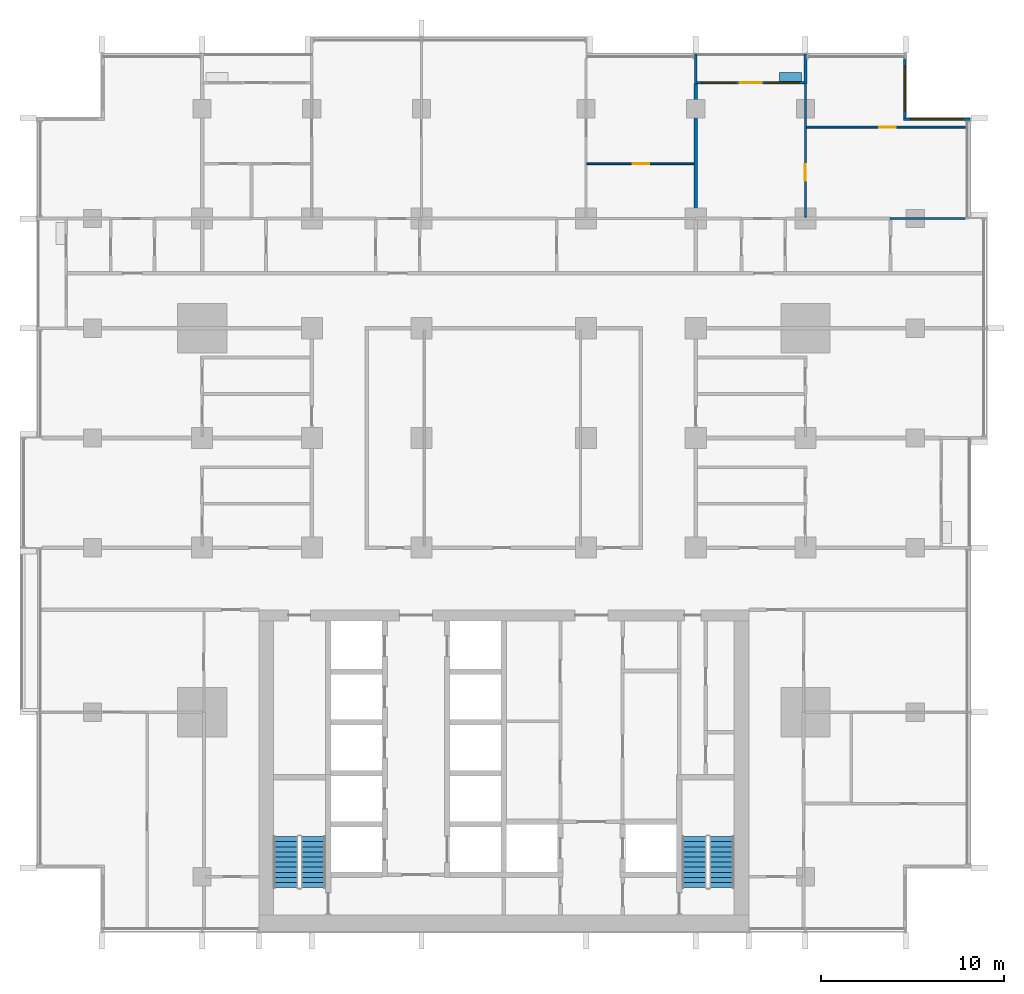
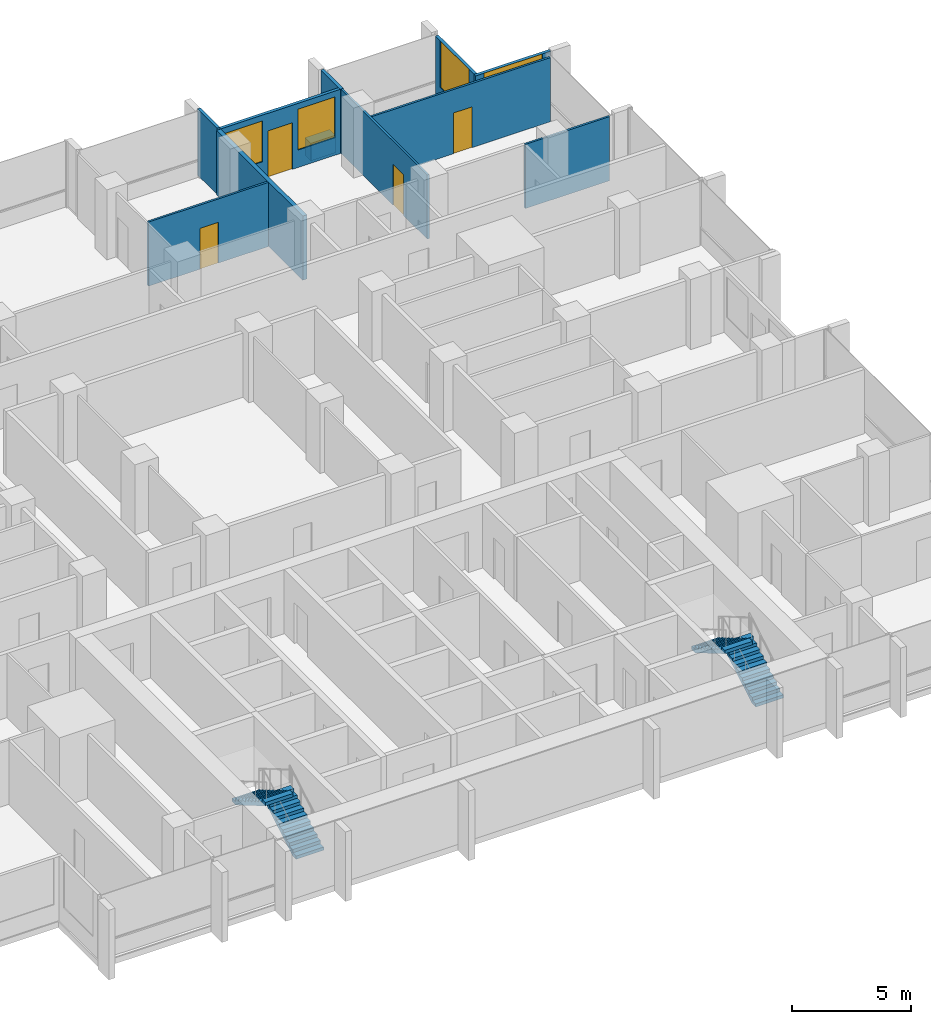
# One storey, part 12 of 17: 11 walls, 4 doors, 4 stair flights, 4 windows, 8 openings, 2 elements without a shape of their own.
"""IFC4 building model written with IfcOpenShell, lengths in metres."""

from ifc_helpers import new_model, si_unit, direction, frame, frame_2d, origin, place, context, subcontext, project, spatial, polyline, rectangle, outline, extrude, material, layer, layer_set, type_object, element, fill, aggregate, save


model = new_model("IFC4")

# Units and contexts
model_context = context("Model", 3, precision=1e-05, world=origin(), true_north=direction((0.0, 1.0)))
body_context = subcontext(model_context, "Body", "Model", "MODEL_VIEW")
ifc_project = project(units=[si_unit("LENGTHUNIT", "METRE"), si_unit("AREAUNIT", "SQUARE_METRE"), si_unit("VOLUMEUNIT", "CUBIC_METRE"), si_unit("PLANEANGLEUNIT", "RADIAN"), si_unit("MASSUNIT", "GRAM", prefix="KILO")], contexts=[model_context])

# Site, building, storey
site_placement = place(None, origin())
site = spatial("IfcSite", under=ifc_project, at=site_placement, CompositionType="ELEMENT")
building_placement = place(site_placement, origin())
building = spatial("IfcBuilding", under=site, at=building_placement, Name="Finial Court Residences", CompositionType="ELEMENT")
storey_placement = place(building_placement, frame((0.0, 0.0, 120.699951171875)))
storey = spatial("IfcBuildingStorey", under=building, at=storey_placement, Name="L30", CompositionType="ELEMENT", Elevation=120.699951171875)

# Walls
ifc_material_1 = material(Name="Gypsum board")
ifc_layer_1 = layer(ifc_material_1, 0.02490234375)
ifc_material_2 = material(Name="Acoustic mineral wool in double frame")
ifc_layer_2 = layer(ifc_material_2, 0.14990234375)
ifc_layer_3 = layer(ifc_material_1, 0.02490234375)
ifc_layer_set_1 = layer_set([ifc_layer_1, ifc_layer_2, ifc_layer_3], Name="Acoustic party wall 200, 1 hour")
wall_type_1 = type_object("IfcWallType", Name="Acoustic party wall 200, 1 hour", PredefinedType="PARTITIONING", material=ifc_layer_set_1)
wall_1_placement = place(storey_placement, frame((10.5, 13.574951171875, 0.0), z_axis=(0.0, 0.0, 1.0), x_axis=(0.0, 1.0, 0.0)))
element("IfcWall", 1, at=wall_1_placement, inside=storey, type_object=wall_type_1, Name="Partition L30-069", PredefinedType="PARTITIONING", context=body_context, shape_type="SweptSolid", body=[
    extrude(rectangle(XDim=7.275146484375, YDim=0.199951171875, at=frame_2d((3.6376953125, 0.0))), origin(), (0.0, 0.0, 1.0), 3.300048828125),
])
ifc_layer_4 = layer(ifc_material_1, 0.012451171875)
ifc_material_3 = material(Name="Mineral wool in light-gauge frame")
ifc_layer_5 = layer(ifc_material_3, 0.074951171875)
ifc_layer_6 = layer(ifc_material_1, 0.012451171875)
ifc_layer_set_2 = layer_set([ifc_layer_4, ifc_layer_5, ifc_layer_6], Name="Gypsum board partition 100")
wall_type_2 = type_object("IfcWallType", Name="Gypsum board partition 100", PredefinedType="PARTITIONING", material=ifc_layer_set_2)
wall_2_placement = place(storey_placement, frame((21.14990234375, 13.5, 0.0), z_axis=(0.0, 0.0, 1.0), x_axis=(1.0, 0.0, 0.0)))
element("IfcWall", 2, at=wall_2_placement, inside=storey, type_object=wall_type_2, Name="Partition L30-032", PredefinedType="PARTITIONING", context=body_context, shape_type="SweptSolid", body=[
    extrude(rectangle(XDim=4.10009765625, YDim=0.10009765625, at=frame_2d((2.050048828125, 0.0))), origin(), (0.0, 0.0, 1.0), 3.300048828125),
])

# Wall, opening, door
wall_3_placement = place(storey_placement, frame((4.550048828125, 16.5, 0.0), z_axis=(0.0, 0.0, 1.0), x_axis=(1.0, 0.0, 0.0)))
wall_3 = element("IfcWall", 3, at=wall_3_placement, inside=storey, type_object=wall_type_2, Name="Partition L30-040", PredefinedType="PARTITIONING", context=body_context, shape_type="SweptSolid", body=[
    extrude(rectangle(XDim=5.849853515625, YDim=0.10009765625, at=frame_2d((2.9248046875, 0.0))), origin(), (0.0, 0.0, 1.0), 3.300048828125),
])
opening_1_placement = place(wall_3_placement, frame((2.5, 0.0, 0.0)))
opening_1 = element("IfcOpeningElement", 4, at=opening_1_placement, cuts=wall_3, Name="Opening L30-D019", PredefinedType="OPENING", context=body_context, shape_type="SweptSolid", body=[
    extrude(rectangle(XDim=0.89990234375, YDim=2.10009765625, at=frame_2d((0.449951171875, 1.050048828125))), frame((0.0, 0.06005859375, 0.0), z_axis=(0.0, -1.0, 0.0), x_axis=(1.0, 0.0, 0.0)), (0.0, 0.0, 1.0), 0.1201171875),
])
ifc_material_4 = material(Name="Timber door leaf in timber frame", Category="wood")
door_type_1 = type_object("IfcDoorType", Name="Door set 900 x 2100", OperationType="SINGLE_SWING_LEFT", PredefinedType="DOOR", material=ifc_material_4)
door_1_placement = place(opening_1_placement, origin())
door_1 = element("IfcDoor", 5, at=door_1_placement, inside=storey, type_object=door_type_1, Name="Door L30-D019", OperationType="SINGLE_SWING_LEFT", OverallHeight=2.10009765625, OverallWidth=0.89990234375, PredefinedType="DOOR", context=body_context, shape_type="SweptSolid", body=[
    extrude(rectangle(XDim=0.89990234375, YDim=2.10009765625, at=frame_2d((0.449951171875, 1.050048828125))), frame((0.0, 0.02490234375, 0.0), z_axis=(0.0, -1.0, 0.0), x_axis=(1.0, 0.0, 0.0)), (0.0, 0.0, 1.0), 0.050048828125),
])
fill(opening_1, door_1)

wall_4_placement = place(storey_placement, frame((16.550048828125, 18.5, 0.0), z_axis=(0.0, 0.0, 1.0), x_axis=(1.0, 0.0, 0.0)))
wall_4 = element("IfcWall", 6, at=wall_4_placement, inside=storey, type_object=wall_type_2, Name="Partition L30-042", PredefinedType="PARTITIONING", context=body_context, shape_type="SweptSolid", body=[
    extrude(rectangle(XDim=8.699951171875, YDim=0.10009765625, at=frame_2d((4.35009765625, 0.0))), origin(), (0.0, 0.0, 1.0), 3.300048828125),
])
opening_2_placement = place(wall_4_placement, frame((4.0, 0.0, 0.0)))
opening_2 = element("IfcOpeningElement", 7, at=opening_2_placement, cuts=wall_4, Name="Opening L30-D021", PredefinedType="OPENING", context=body_context, shape_type="SweptSolid", body=[
    extrude(rectangle(XDim=0.89990234375, YDim=2.10009765625, at=frame_2d((0.449951171875, 1.050048828125))), frame((0.0, 0.06005859375, 0.0), z_axis=(0.0, -1.0, 0.0), x_axis=(1.0, 0.0, 0.0)), (0.0, 0.0, 1.0), 0.1201171875),
])
door_2_placement = place(opening_2_placement, origin())
door_2 = element("IfcDoor", 8, at=door_2_placement, inside=storey, type_object=door_type_1, Name="Door L30-D021", OperationType="SINGLE_SWING_LEFT", OverallHeight=2.10009765625, OverallWidth=0.89990234375, PredefinedType="DOOR", context=body_context, shape_type="SweptSolid", body=[
    extrude(rectangle(XDim=0.89990234375, YDim=2.10009765625, at=frame_2d((0.449951171875, 1.050048828125))), frame((0.0, 0.02490234375, 0.0), z_axis=(0.0, -1.0, 0.0), x_axis=(1.0, 0.0, 0.0)), (0.0, 0.0, 1.0), 0.050048828125),
])
fill(opening_2, door_2)

wall_5_placement = place(storey_placement, frame((16.5, 13.574951171875, 0.0), z_axis=(0.0, 0.0, 1.0), x_axis=(0.0, 1.0, 0.0)))
wall_5 = element("IfcWall", 9, at=wall_5_placement, inside=storey, type_object=wall_type_2, Name="Partition L30-078", PredefinedType="PARTITIONING", context=body_context, shape_type="SweptSolid", body=[
    extrude(rectangle(XDim=7.275146484375, YDim=0.10009765625, at=frame_2d((3.6376953125, 0.0))), origin(), (0.0, 0.0, 1.0), 3.300048828125),
])
opening_3_placement = place(wall_5_placement, frame((2.0, 0.0, 0.0)))
opening_3 = element("IfcOpeningElement", 10, at=opening_3_placement, cuts=wall_5, Name="Opening L30-D046", PredefinedType="OPENING", context=body_context, shape_type="SweptSolid", body=[
    extrude(rectangle(XDim=0.89990234375, YDim=2.10009765625, at=frame_2d((0.449951171875, 1.050048828125))), frame((0.0, 0.06005859375, 0.0), z_axis=(0.0, -1.0, 0.0), x_axis=(1.0, 0.0, 0.0)), (0.0, 0.0, 1.0), 0.1201171875),
])
door_3_placement = place(opening_3_placement, origin())
door_3 = element("IfcDoor", 11, at=door_3_placement, inside=storey, type_object=door_type_1, Name="Door L30-D046", OperationType="SINGLE_SWING_LEFT", OverallHeight=2.10009765625, OverallWidth=0.89990234375, PredefinedType="DOOR", context=body_context, shape_type="SweptSolid", body=[
    extrude(rectangle(XDim=0.89990234375, YDim=2.10009765625, at=frame_2d((0.449951171875, 1.050048828125))), frame((0.0, 0.02490234375, 0.0), z_axis=(0.0, -1.0, 0.0), x_axis=(1.0, 0.0, 0.0)), (0.0, 0.0, 1.0), 0.050048828125),
])
fill(opening_3, door_3)

# Wall, opening, window
ifc_material_5 = material(Name="Natural limestone", Category="masonry")
ifc_layer_7 = layer(ifc_material_5, 0.14990234375)
ifc_layer_set_3 = layer_set([ifc_layer_7], Name="Limestone clad wall 150")
wall_type_3 = type_object("IfcWallType", Name="Limestone clad wall 150", PredefinedType="SOLIDWALL", material=ifc_layer_set_3)
wall_6_placement = place(storey_placement, frame((21.925048828125, 22.25, 0.0), z_axis=(0.0, 0.0, 1.0), x_axis=(0.0, -1.0, 0.0)))
wall_6 = element("IfcWall", 12, at=wall_6_placement, inside=storey, type_object=wall_type_3, Name="E-L30-NWE22", PredefinedType="SOLIDWALL", context=body_context, shape_type="SweptSolid", body=[
    extrude(rectangle(XDim=3.25, YDim=0.14990234375, at=frame_2d((1.625, 0.0))), origin(), (0.0, 0.0, 1.0), 3.300048828125),
])
opening_4_placement = place(wall_6_placement, frame((0.39990234375, 0.0, 0.89990234375)))
opening_4 = element("IfcOpeningElement", 13, at=opening_4_placement, cuts=wall_6, Name="Opening WE30-07", PredefinedType="OPENING", context=body_context, shape_type="SweptSolid", body=[
    extrude(rectangle(XDim=2.449951171875, YDim=2.39990234375, at=frame_2d((1.22509765625, 1.199951171875))), frame((0.0, 0.0849609375, 0.0), z_axis=(0.0, -1.0, 0.0), x_axis=(1.0, 0.0, 0.0)), (0.0, 0.0, 1.0), 0.169921875),
])
ifc_material_6 = material(Name="Clear low-e glass", Category="glass")
window_type_1 = type_object("IfcWindowType", Name="Corner window 2450 x 2400", PartitioningType="SINGLE_PANEL", PredefinedType="WINDOW", material=ifc_material_6)
window_1_placement = place(opening_4_placement, origin())
window_1 = element("IfcWindow", 14, at=window_1_placement, inside=storey, type_object=window_type_1, Name="E-L30-NWE22-W1", OverallHeight=2.39990234375, OverallWidth=2.449951171875, PartitioningType="SINGLE_PANEL", PredefinedType="WINDOW", context=body_context, shape_type="SweptSolid", body=[
    extrude(rectangle(XDim=2.449951171875, YDim=2.39990234375, at=frame_2d((1.22509765625, 1.199951171875))), frame((0.0, 0.030029296875, 0.0), z_axis=(0.0, -1.0, 0.0), x_axis=(1.0, 0.0, 0.0)), (0.0, 0.0, 1.0), 0.06005859375),
])
fill(opening_4, window_1)

wall_7_placement = place(storey_placement, frame((21.85009765625, 18.925048828125, 0.0), z_axis=(0.0, 0.0, 1.0), x_axis=(1.0, 0.0, 0.0)))
wall_7 = element("IfcWall", 15, at=wall_7_placement, inside=storey, type_object=wall_type_3, Name="E-L30-NWN23", PredefinedType="SOLIDWALL", context=body_context, shape_type="SweptSolid", body=[
    extrude(rectangle(XDim=3.64990234375, YDim=0.14990234375, at=frame_2d((1.824951171875, 0.0))), origin(), (0.0, 0.0, 1.0), 3.300048828125),
])
opening_5_placement = place(wall_7_placement, frame((0.39990234375, 0.0, 0.89990234375)))
opening_5 = element("IfcOpeningElement", 16, at=opening_5_placement, cuts=wall_7, Name="Opening WE30-08", PredefinedType="OPENING", context=body_context, shape_type="SweptSolid", body=[
    extrude(rectangle(XDim=2.85009765625, YDim=2.39990234375, at=frame_2d((1.425048828125, 1.199951171875))), frame((0.0, 0.0849609375, 0.0), z_axis=(0.0, -1.0, 0.0), x_axis=(1.0, 0.0, 0.0)), (0.0, 0.0, 1.0), 0.169921875),
])
window_type_2 = type_object("IfcWindowType", Name="Corner window 2850 x 2400", PartitioningType="SINGLE_PANEL", PredefinedType="WINDOW", material=ifc_material_6)
window_2_placement = place(opening_5_placement, origin())
window_2 = element("IfcWindow", 17, at=window_2_placement, inside=storey, type_object=window_type_2, Name="E-L30-NWN23-W1", OverallHeight=2.39990234375, OverallWidth=2.85009765625, PartitioningType="SINGLE_PANEL", PredefinedType="WINDOW", context=body_context, shape_type="SweptSolid", body=[
    extrude(rectangle(XDim=2.85009765625, YDim=2.39990234375, at=frame_2d((1.425048828125, 1.199951171875))), frame((0.0, 0.030029296875, 0.0), z_axis=(0.0, -1.0, 0.0), x_axis=(1.0, 0.0, 0.0)), (0.0, 0.0, 1.0), 0.06005859375),
])
fill(opening_5, window_2)

# Walls
wall_8_placement = place(storey_placement, frame((10.5, 20.85009765625, 0.0), z_axis=(0.0, 0.0, 1.0), x_axis=(0.0, 1.0, 0.0)))
element("IfcWall", 18, at=wall_8_placement, inside=storey, type_object=wall_type_3, Name="E-L30-BALN6-P1", PredefinedType="SOLIDWALL", context=body_context, shape_type="SweptSolid", body=[
    extrude(rectangle(XDim=1.64990234375, YDim=0.14990234375, at=frame_2d((0.824951171875, 0.0))), origin(), (0.0, 0.0, 1.0), 3.400146484375),
])
wall_9_placement = place(storey_placement, frame((16.5, 20.85009765625, 0.0), z_axis=(0.0, 0.0, 1.0), x_axis=(0.0, 1.0, 0.0)))
element("IfcWall", 19, at=wall_9_placement, inside=storey, type_object=wall_type_3, Name="E-L30-BALN6-P2", PredefinedType="SOLIDWALL", context=body_context, shape_type="SweptSolid", body=[
    extrude(rectangle(XDim=1.64990234375, YDim=0.14990234375, at=frame_2d((0.824951171875, 0.0))), origin(), (0.0, 0.0, 1.0), 3.300048828125),
])

# Wall, openings, door, windows
wall_10_placement = place(storey_placement, frame((10.574951171875, 20.925048828125, 0.0), z_axis=(0.0, 0.0, 1.0), x_axis=(1.0, 0.0, 0.0)))
wall_10 = element("IfcWall", 20, at=wall_10_placement, inside=storey, type_object=wall_type_3, Name="E-L30-L30-BALN6-W", PredefinedType="SOLIDWALL", context=body_context, shape_type="SweptSolid", body=[
    extrude(rectangle(XDim=5.85009765625, YDim=0.14990234375, at=frame_2d((2.925048828125, 0.0))), origin(), (0.0, 0.0, 1.0), 3.300048828125),
])
opening_6_placement = place(wall_10_placement, frame((2.324951171875, 0.0, 0.0)))
opening_6 = element("IfcOpeningElement", 21, at=opening_6_placement, cuts=wall_10, Name="Opening DE30-02", PredefinedType="OPENING", context=body_context, shape_type="SweptSolid", body=[
    extrude(rectangle(XDim=1.199951171875, YDim=2.39990234375, at=frame_2d((0.60009765625, 1.199951171875))), frame((0.0, 0.0849609375, 0.0), z_axis=(0.0, -1.0, 0.0), x_axis=(1.0, 0.0, 0.0)), (0.0, 0.0, 1.0), 0.169921875),
])
opening_7_placement = place(wall_10_placement, frame((0.262451171875, 0.0, 0.89990234375)))
opening_7 = element("IfcOpeningElement", 22, at=opening_7_placement, cuts=wall_10, Name="Opening WE30-11", PredefinedType="OPENING", context=body_context, shape_type="SweptSolid", body=[
    extrude(rectangle(XDim=1.800048828125, YDim=2.10009765625, at=frame_2d((0.89990234375, 1.050048828125))), frame((0.0, 0.0849609375, 0.0), z_axis=(0.0, -1.0, 0.0), x_axis=(1.0, 0.0, 0.0)), (0.0, 0.0, 1.0), 0.169921875),
])
opening_8_placement = place(wall_10_placement, frame((3.78759765625, 0.0, 0.89990234375)))
opening_8 = element("IfcOpeningElement", 23, at=opening_8_placement, cuts=wall_10, Name="Opening WE30-12", PredefinedType="OPENING", context=body_context, shape_type="SweptSolid", body=[
    extrude(rectangle(XDim=1.800048828125, YDim=2.10009765625, at=frame_2d((0.89990234375, 1.050048828125))), frame((0.0, 0.0849609375, 0.0), z_axis=(0.0, -1.0, 0.0), x_axis=(1.0, 0.0, 0.0)), (0.0, 0.0, 1.0), 0.169921875),
])
ifc_material_7 = material(Name="Bronze anodised aluminium", Category="aluminium")
door_type_2 = type_object("IfcDoorType", Name="Balcony door 1200 x 2400", OperationType="SINGLE_SWING_LEFT", PredefinedType="DOOR", material=ifc_material_7)
door_4_placement = place(opening_6_placement, origin())
door_4 = element("IfcDoor", 24, at=door_4_placement, inside=storey, type_object=door_type_2, Name="E-L30-L30-BALN6-W-D", OperationType="SINGLE_SWING_RIGHT", OverallHeight=2.39990234375, OverallWidth=1.199951171875, PredefinedType="DOOR", context=body_context, shape_type="SweptSolid", body=[
    extrude(rectangle(XDim=1.199951171875, YDim=2.39990234375, at=frame_2d((0.60009765625, 1.199951171875))), frame((0.0, 0.02490234375, 0.0), z_axis=(0.0, -1.0, 0.0), x_axis=(1.0, 0.0, 0.0)), (0.0, 0.0, 1.0), 0.050048828125),
])
fill(opening_6, door_4)
window_type_3 = type_object("IfcWindowType", Name="Balcony window 1800 x 2100", PartitioningType="SINGLE_PANEL", PredefinedType="WINDOW", material=ifc_material_6)
window_3_placement = place(opening_7_placement, origin())
window_3 = element("IfcWindow", 25, at=window_3_placement, inside=storey, type_object=window_type_3, Name="E-L30-L30-BALN6-W-W1", OverallHeight=2.10009765625, OverallWidth=1.800048828125, PartitioningType="SINGLE_PANEL", PredefinedType="WINDOW", context=body_context, shape_type="SweptSolid", body=[
    extrude(rectangle(XDim=1.800048828125, YDim=2.10009765625, at=frame_2d((0.89990234375, 1.050048828125))), frame((0.0, 0.030029296875, 0.0), z_axis=(0.0, -1.0, 0.0), x_axis=(1.0, 0.0, 0.0)), (0.0, 0.0, 1.0), 0.06005859375),
])
fill(opening_7, window_3)
window_4_placement = place(opening_8_placement, origin())
window_4 = element("IfcWindow", 26, at=window_4_placement, inside=storey, type_object=window_type_3, Name="E-L30-L30-BALN6-W-W2", OverallHeight=2.10009765625, OverallWidth=1.800048828125, PartitioningType="SINGLE_PANEL", PredefinedType="WINDOW", context=body_context, shape_type="SweptSolid", body=[
    extrude(rectangle(XDim=1.800048828125, YDim=2.10009765625, at=frame_2d((0.89990234375, 1.050048828125))), frame((0.0, 0.030029296875, 0.0), z_axis=(0.0, -1.0, 0.0), x_axis=(1.0, 0.0, 0.0)), (0.0, 0.0, 1.0), 0.06005859375),
])
fill(opening_8, window_4)

# Wall
ifc_material_8 = material(Name="Concrete C40/50", Category="concrete")
ifc_layer_8 = layer(ifc_material_8, 0.10009765625)
ifc_material_9 = material(Name="Planting soil", Category="soil")
ifc_layer_9 = layer(ifc_material_9, 0.300048828125)
ifc_layer_10 = layer(ifc_material_8, 0.10009765625)
ifc_layer_set_4 = layer_set([ifc_layer_8, ifc_layer_9, ifc_layer_10], Name="Planter wall, balcony")
wall_type_4 = type_object("IfcWallType", Name="Planter wall, balcony", PredefinedType="USERDEFINED", material=ifc_layer_set_4)
wall_11_placement = place(storey_placement, frame((15.074951171875, 21.25, 0.0), z_axis=(0.0, 0.0, 1.0), x_axis=(1.0, 0.0, 0.0)))
element("IfcWall", 27, at=wall_11_placement, inside=storey, type_object=wall_type_4, Name="E-L30-BALN6-PL", ObjectType="PLANTER", PredefinedType="USERDEFINED", context=body_context, shape_type="SweptSolid", body=[
    extrude(rectangle(XDim=1.199951171875, YDim=0.5, at=frame_2d((0.60009765625, 0.0))), origin(), (0.0, 0.0, 1.0), 0.900146484375),
])

# Stair, stair flights
ifc_material_10 = material(Name="Concrete C50/60", Category="concrete")
stair_type = type_object("IfcStairType", Name="Exit stair 22 risers of 163.6 mm", PredefinedType="HALF_TURN_STAIR", material=ifc_material_10)
stair_1_placement = place(storey_placement, origin())
stair_1 = element("IfcStair", 28, at=stair_1_placement, inside=storey, type_object=stair_type, Name="L30 Exit stair ST-1", PredefinedType="HALF_TURN_STAIR")
stair_flight_type = type_object("IfcStairFlightType", Name="Exit stair flight", PredefinedType="STRAIGHT", material=ifc_material_10)
stair_flight_1_placement = place(storey_placement, frame((-10.425048828125, -23.10009765625, 0.0), z_axis=(0.0, 0.0, 1.0), x_axis=(0.0, 1.0, 0.0)))
stair_flight_1 = element("IfcStairFlight", 29, at=stair_flight_1_placement, type_object=stair_flight_type, Name="ST-1 flight 1", NumberOfRisers=11, NumberOfTreads=10, PredefinedType="STRAIGHT", RiserHeight=0.163636364, TreadLength=0.28, context=body_context, shape_type="SweptSolid", body=[
    extrude(outline(polyline([(0.0, 0.0), (0.0, 0.16357421875), (0.280029296875, 0.16357421875), (0.280029296875, 0.327392578125), (0.56005859375, 0.327392578125), (0.56005859375, 0.490966796875), (0.840087890625, 0.490966796875), (0.840087890625, 0.654541015625), (1.1201171875, 0.654541015625), (1.1201171875, 0.818115234375), (1.39990234375, 0.818115234375), (1.39990234375, 0.98193359375), (1.679931640625, 0.98193359375), (1.679931640625, 1.1455078125), (1.9599609375, 1.1455078125), (1.9599609375, 1.30908203125), (2.239990234375, 1.30908203125), (2.239990234375, 1.47265625), (2.52001953125, 1.47265625), (2.52001953125, 1.636474609375), (2.800048828125, 1.636474609375), (2.800048828125, 1.800048828125), (2.800048828125, 1.462646484375), (0.297119140625, 0.0), (0.0, 0.0)])), frame((0.0, 0.675048828125, 0.0), z_axis=(0.0, -1.0, 0.0), x_axis=(1.0, 0.0, 0.0)), (0.0, 0.0, 1.0), 1.35009765625),
])
stair_flight_2_placement = place(storey_placement, frame((-11.925048828125, -20.300048828125, 1.800048828125), z_axis=(0.0, 0.0, 1.0), x_axis=(0.0, -1.0, 0.0)))
stair_flight_2 = element("IfcStairFlight", 30, at=stair_flight_2_placement, type_object=stair_flight_type, Name="ST-1 flight 2", NumberOfRisers=11, NumberOfTreads=10, PredefinedType="STRAIGHT", RiserHeight=0.163636364, TreadLength=0.28, context=body_context, shape_type="SweptSolid", body=[
    extrude(outline(polyline([(0.0, 0.0), (0.0, 0.16357421875), (0.280029296875, 0.16357421875), (0.280029296875, 0.327392578125), (0.56005859375, 0.327392578125), (0.56005859375, 0.490966796875), (0.840087890625, 0.490966796875), (0.840087890625, 0.654541015625), (1.1201171875, 0.654541015625), (1.1201171875, 0.818115234375), (1.39990234375, 0.818115234375), (1.39990234375, 0.98193359375), (1.679931640625, 0.98193359375), (1.679931640625, 1.1455078125), (1.9599609375, 1.1455078125), (1.9599609375, 1.30908203125), (2.239990234375, 1.30908203125), (2.239990234375, 1.47265625), (2.52001953125, 1.47265625), (2.52001953125, 1.636474609375), (2.800048828125, 1.636474609375), (2.800048828125, 1.800048828125), (2.800048828125, 1.462646484375), (0.297119140625, 0.0), (0.0, 0.0)])), frame((0.0, 0.675048828125, 0.0), z_axis=(0.0, -1.0, 0.0), x_axis=(1.0, 0.0, 0.0)), (0.0, 0.0, 1.0), 1.35009765625),
])
aggregate(stair_1, [stair_flight_1, stair_flight_2])

stair_2_placement = place(storey_placement, origin())
stair_2 = element("IfcStair", 31, at=stair_2_placement, inside=storey, type_object=stair_type, Name="L30 Exit stair ST-2", PredefinedType="HALF_TURN_STAIR")
stair_flight_3_placement = place(storey_placement, frame((11.925048828125, -23.10009765625, 0.0), z_axis=(0.0, 0.0, 1.0), x_axis=(0.0, 1.0, 0.0)))
stair_flight_3 = element("IfcStairFlight", 32, at=stair_flight_3_placement, type_object=stair_flight_type, Name="ST-2 flight 1", NumberOfRisers=11, NumberOfTreads=10, PredefinedType="STRAIGHT", RiserHeight=0.163636364, TreadLength=0.28, context=body_context, shape_type="SweptSolid", body=[
    extrude(outline(polyline([(0.0, 0.0), (0.0, 0.16357421875), (0.280029296875, 0.16357421875), (0.280029296875, 0.327392578125), (0.56005859375, 0.327392578125), (0.56005859375, 0.490966796875), (0.840087890625, 0.490966796875), (0.840087890625, 0.654541015625), (1.1201171875, 0.654541015625), (1.1201171875, 0.818115234375), (1.39990234375, 0.818115234375), (1.39990234375, 0.98193359375), (1.679931640625, 0.98193359375), (1.679931640625, 1.1455078125), (1.9599609375, 1.1455078125), (1.9599609375, 1.30908203125), (2.239990234375, 1.30908203125), (2.239990234375, 1.47265625), (2.52001953125, 1.47265625), (2.52001953125, 1.636474609375), (2.800048828125, 1.636474609375), (2.800048828125, 1.800048828125), (2.800048828125, 1.462646484375), (0.297119140625, 0.0), (0.0, 0.0)])), frame((0.0, 0.675048828125, 0.0), z_axis=(0.0, -1.0, 0.0), x_axis=(1.0, 0.0, 0.0)), (0.0, 0.0, 1.0), 1.35009765625),
])
stair_flight_4_placement = place(storey_placement, frame((10.425048828125, -20.300048828125, 1.800048828125), z_axis=(0.0, 0.0, 1.0), x_axis=(0.0, -1.0, 0.0)))
stair_flight_4 = element("IfcStairFlight", 33, at=stair_flight_4_placement, type_object=stair_flight_type, Name="ST-2 flight 2", NumberOfRisers=11, NumberOfTreads=10, PredefinedType="STRAIGHT", RiserHeight=0.163636364, TreadLength=0.28, context=body_context, shape_type="SweptSolid", body=[
    extrude(outline(polyline([(0.0, 0.0), (0.0, 0.16357421875), (0.280029296875, 0.16357421875), (0.280029296875, 0.327392578125), (0.56005859375, 0.327392578125), (0.56005859375, 0.490966796875), (0.840087890625, 0.490966796875), (0.840087890625, 0.654541015625), (1.1201171875, 0.654541015625), (1.1201171875, 0.818115234375), (1.39990234375, 0.818115234375), (1.39990234375, 0.98193359375), (1.679931640625, 0.98193359375), (1.679931640625, 1.1455078125), (1.9599609375, 1.1455078125), (1.9599609375, 1.30908203125), (2.239990234375, 1.30908203125), (2.239990234375, 1.47265625), (2.52001953125, 1.47265625), (2.52001953125, 1.636474609375), (2.800048828125, 1.636474609375), (2.800048828125, 1.800048828125), (2.800048828125, 1.462646484375), (0.297119140625, 0.0), (0.0, 0.0)])), frame((0.0, 0.675048828125, 0.0), z_axis=(0.0, -1.0, 0.0), x_axis=(1.0, 0.0, 0.0)), (0.0, 0.0, 1.0), 1.35009765625),
])
aggregate(stair_2, [stair_flight_3, stair_flight_4])

save(model, "model.ifc")
